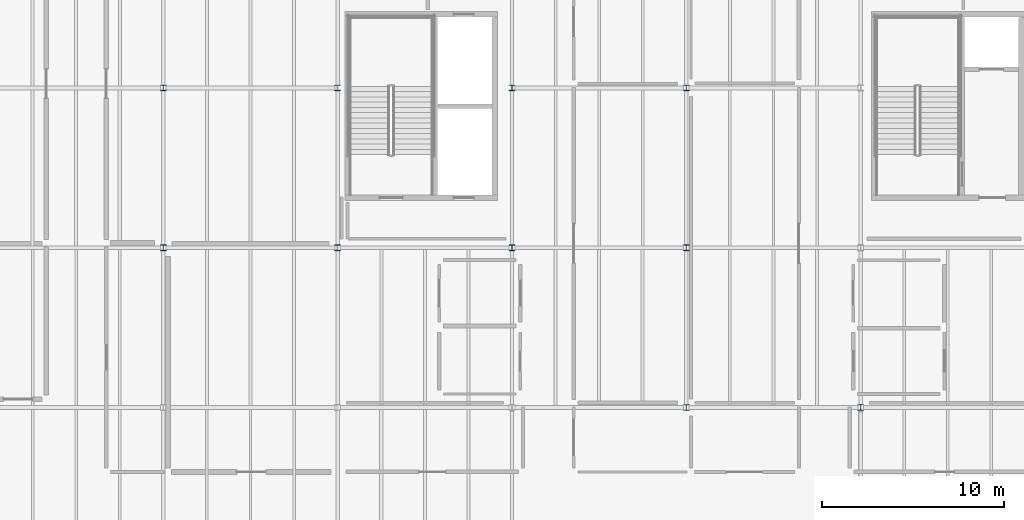
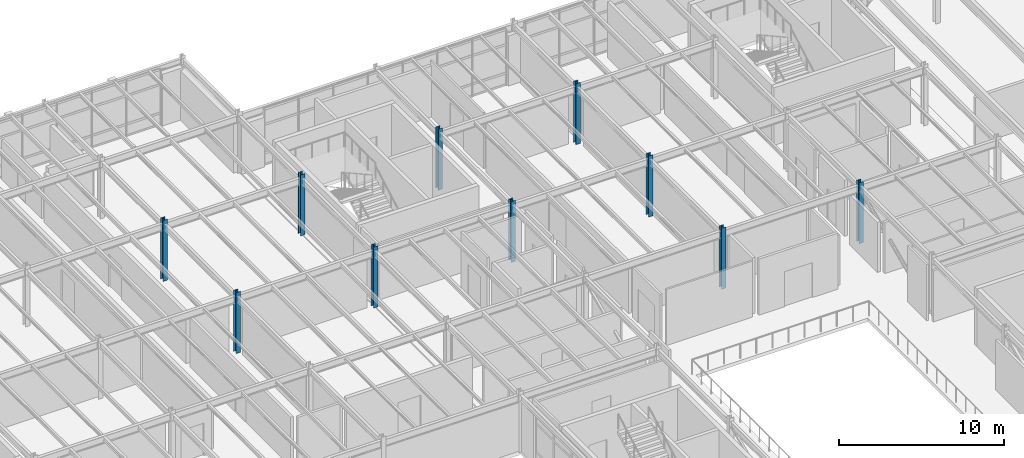
# One storey, part 11 of 69: 10 columns.
"""IFC4 building model written with IfcOpenShell, lengths in metres."""

from ifc_helpers import new_model, si_unit, direction, frame, origin, origin_2d, place, context, subcontext, project, spatial, i_section, extrude, material, material_profile, profile_set, type_object, element, save


model = new_model("IFC4")

# Units and contexts
model_context = context("Model", 3, precision=1e-05, world=origin(), true_north=direction((0.0, 1.0)))
body_context = subcontext(model_context, "Body", "Model", "MODEL_VIEW")
ifc_project = project(units=[si_unit("LENGTHUNIT", "METRE"), si_unit("AREAUNIT", "SQUARE_METRE"), si_unit("VOLUMEUNIT", "CUBIC_METRE"), si_unit("PLANEANGLEUNIT", "RADIAN"), si_unit("MASSUNIT", "GRAM", prefix="KILO")], contexts=[model_context])

# Site, building, storey
site_placement = place(None, origin())
site = spatial("IfcSite", under=ifc_project, at=site_placement, CompositionType="ELEMENT")
building_placement = place(site_placement, origin())
building = spatial("IfcBuilding", under=site, at=building_placement, Name="Sarnbrook Museum", CompositionType="ELEMENT")
storey_placement = place(building_placement, frame((0.0, 0.0, 14.60009765625)))
storey = spatial("IfcBuildingStorey", under=building, at=storey_placement, Name="L03", CompositionType="ELEMENT", Elevation=14.60009765625)

# Columns
ifc_material = material(Name="Structural Steel Grade 300PLUS (AS/NZS 3679.1, fy = 280 MPa for 17 < t <= 40 mm, 300 MPa for t <= 17 mm)", Category="steel")
ifc_material_profile = material_profile(ifc_material, i_section(OverallWidth=0.306884765625, OverallDepth=0.31494140625, WebThickness=0.011962890625, FlangeThickness=0.018798828125, FilletRadius=0.0166015625, at=origin_2d()), Name="310UC118")
ifc_profile_set = profile_set([ifc_material_profile], Name="Structural Steel Grade 300PLUS (AS/NZS 3679.1, fy = 280 MPa for 17 < t <= 40 mm, 300 MPa for t <= 17 mm)")
column_type = type_object("IfcColumnType", Name="COL-UC310", PredefinedType="COLUMN", material=ifc_profile_set)
for number, where, z_axis, x_axis, name in (
    (1, (90.39990234375, 92.0, 0.0), (0.0, 0.0, 1.0), (1.0, 0.0, 0.0), "Column 10-L L03"),
    (2, (90.39990234375, 100.800048828125, 0.0), (0.0, 0.0, 1.0), (1.0, 0.0, 0.0), "Column 10-M L03"),
    (3, (100.0, 83.199951171875, 0.0), (0.0, 0.0, 1.0), (1.0, 0.0, 0.0), "Column 11-K L03"),
    (4, (100.0, 92.0, 0.0), (0.0, 0.0, 1.0), (1.0, 0.0, 0.0), "Column 11-L L03"),
    (5, (100.0, 100.800048828125, 0.0), (0.0, 0.0, 1.0), (1.0, 0.0, 0.0), "Column 11-M L03"),
    (6, (109.60009765625, 83.199951171875, 0.0), (0.0, 0.0, 1.0), (1.0, 0.0, 0.0), "Column 12-K L03"),
    (7, (71.199951171875, 92.0, 0.0), (0.0, 0.0, 1.0), (1.0, 0.0, 0.0), "Column 8-L L03"),
    (8, (71.199951171875, 100.800048828125, 0.0), (0.0, 0.0, 1.0), (1.0, 0.0, 0.0), "Column 8-M L03"),
    (9, (80.800048828125, 92.0, 0.0), (0.0, 0.0, 1.0), (1.0, 0.0, 0.0), "Column 9-L L03"),
    (10, (80.800048828125, 100.800048828125, 0.0), (0.0, 0.0, 1.0), (1.0, 0.0, 0.0), "Column 9-M L03"),
):
    element("IfcColumn", number, at=place(storey_placement, frame(where, z_axis=z_axis, x_axis=x_axis)), inside=storey, type_object=column_type, Name=name, PredefinedType="COLUMN", context=body_context, shape_type="SweptSolid", body=[
        extrude(i_section(OverallWidth=0.306884765625, OverallDepth=0.31494140625, WebThickness=0.011962890625, FlangeThickness=0.018798828125, FilletRadius=0.0166015625, at=origin_2d()), origin(), (0.0, 0.0, 1.0), 4.5),
    ])

save(model, "model.ifc")
